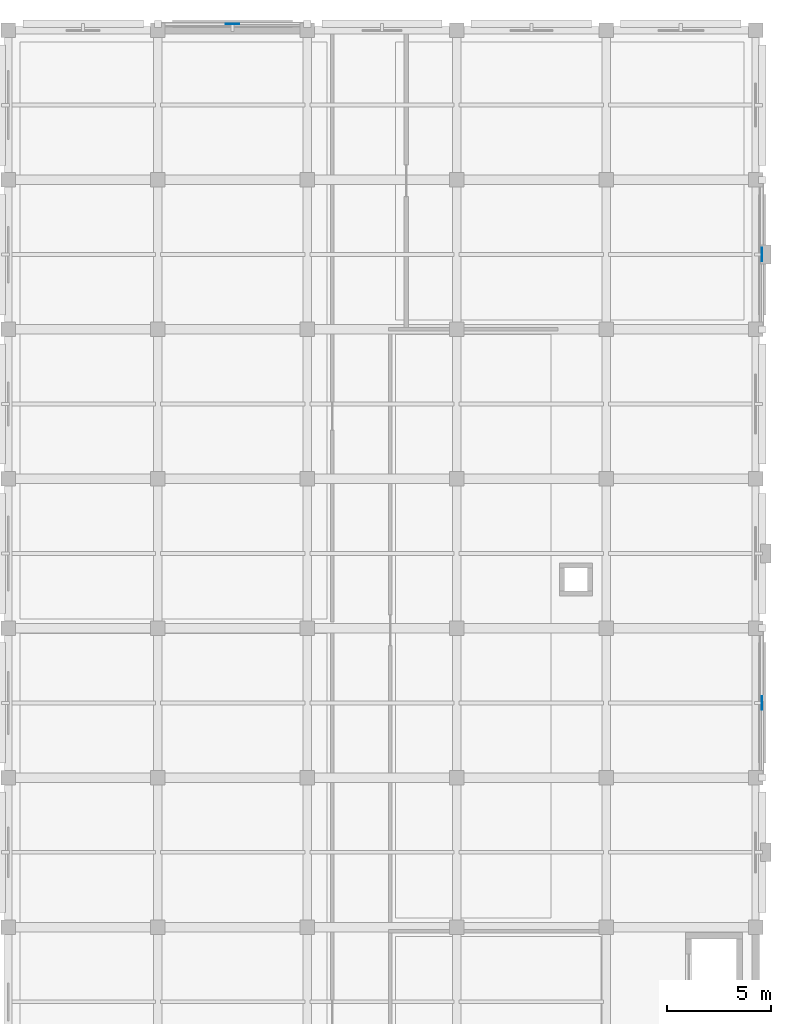
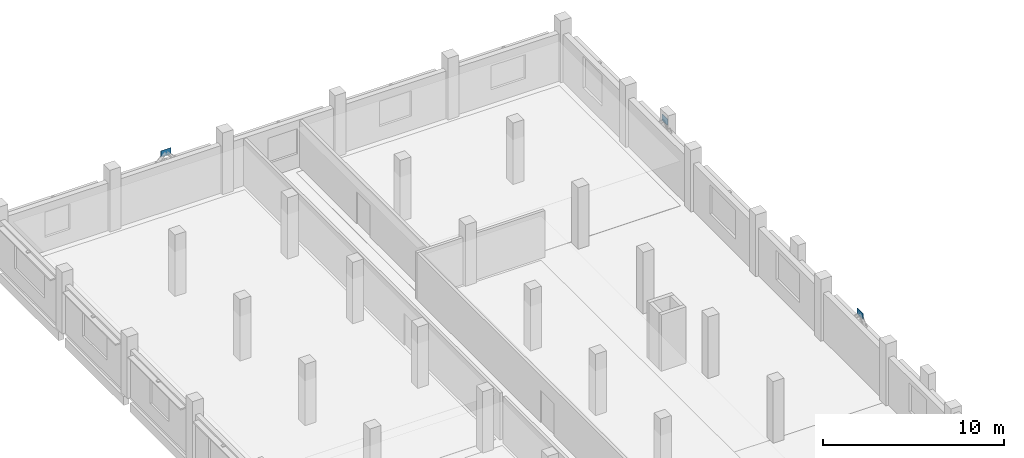
# One storey, part 37 of 62: 3 plates.
"""IFC4 building model written with IfcOpenShell, lengths in metres."""

from ifc_helpers import new_model, si_unit, direction, frame, origin, origin_2d, place, context, subcontext, project, spatial, rectangle, extrude, material, type_object, element, save


model = new_model("IFC4")

# Units and contexts
model_context = context("Model", 3, precision=1e-05, world=origin(), true_north=direction((0.0, 1.0)))
body_context = subcontext(model_context, "Body", "Model", "MODEL_VIEW")
ifc_project = project(units=[si_unit("LENGTHUNIT", "METRE"), si_unit("AREAUNIT", "SQUARE_METRE"), si_unit("VOLUMEUNIT", "CUBIC_METRE"), si_unit("PLANEANGLEUNIT", "RADIAN"), si_unit("MASSUNIT", "GRAM", prefix="KILO")], contexts=[model_context])

# Site, building, storey
site_placement = place(None, origin())
site = spatial("IfcSite", under=ifc_project, at=site_placement, CompositionType="ELEMENT")
building_placement = place(site_placement, origin())
building = spatial("IfcBuilding", under=site, at=building_placement, Name="Valkovuoma Quantum and Materials Research Institute", CompositionType="ELEMENT")
storey_placement = place(building_placement, frame((0.0, 0.0, 8.9599609375)))
storey = spatial("IfcBuildingStorey", under=building, at=storey_placement, Name="L02", CompositionType="ELEMENT", Elevation=8.9599609375)

# Plates
ifc_material = material(Name="Steel S355J2", Category="steel")
plate_type = type_object("IfcPlateType", Name="Plate-PL-SHT2", PredefinedType="SHEET", material=ifc_material)
for number, where, z_axis, x_axis, name in (
    (1, (165.89990234375, 82.800048828125, 3.400146484375), (0.0, 0.0, 1.0), (0.0, 1.0, 0.0), "L02 chevron node sheet plate 10"),
    (2, (165.89990234375, 104.39990234375, 3.400146484375), (0.0, 0.0, 1.0), (0.0, 1.0, 0.0), "L02 chevron node sheet plate 16"),
    (3, (140.39990234375, 115.5, 3.400146484375), (0.0, 0.0, 1.0), (1.0, 0.0, 0.0), "L02 chevron node sheet plate 22"),
):
    element("IfcPlate", number, at=place(storey_placement, frame(where, z_axis=z_axis, x_axis=x_axis)), inside=storey, type_object=plate_type, Name=name, PredefinedType="SHEET", context=body_context, shape_type="SweptSolid", body=[
        extrude(rectangle(XDim=0.64990234375, YDim=0.02001953125, at=origin_2d()), origin(), (0.0, 0.0, 1.0), 0.419921875),
    ])

save(model, "model.ifc")
